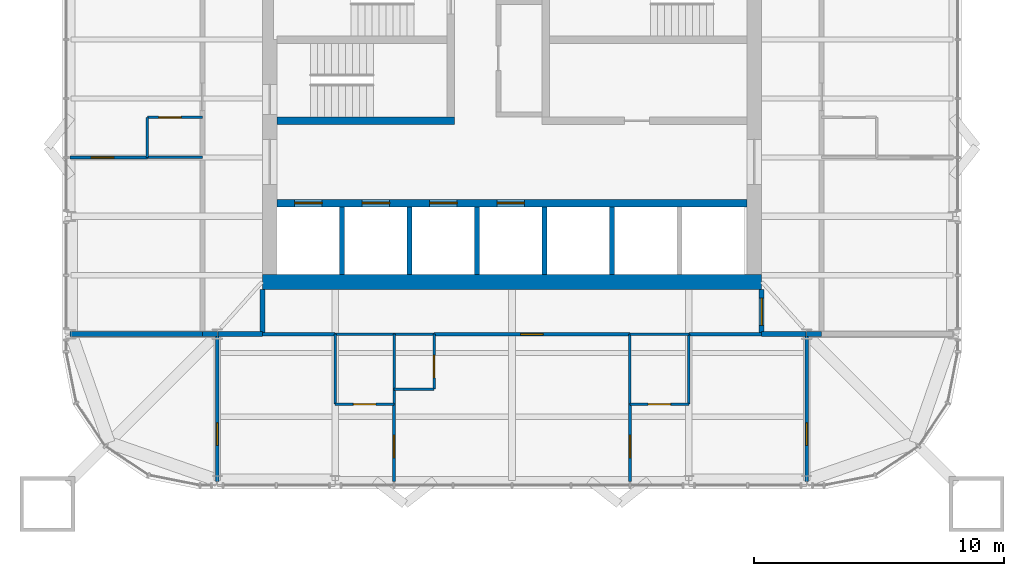
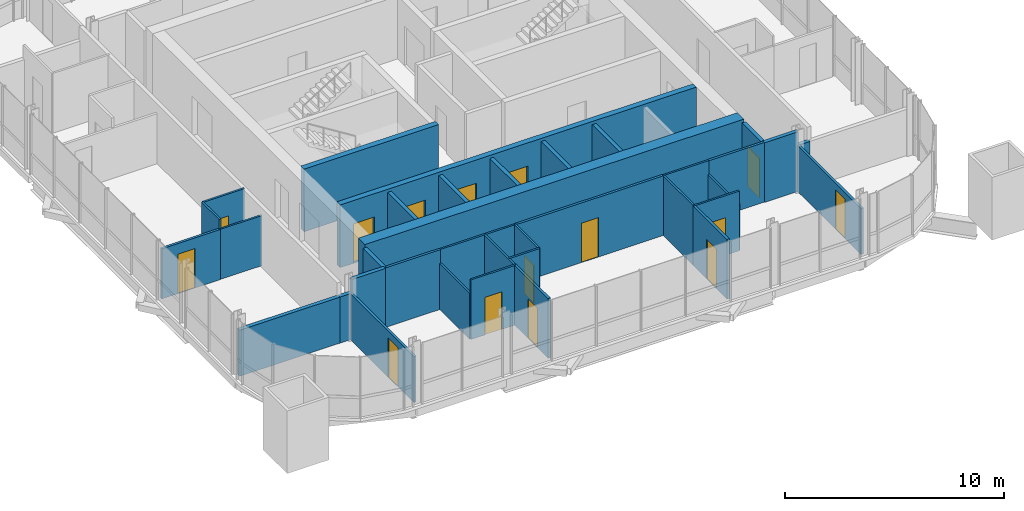
# One storey, part 13 of 17: 36 walls, 15 doors, 15 openings.
"""IFC4 building model written with IfcOpenShell, lengths in metres."""

from ifc_helpers import new_model, si_unit, direction, frame, frame_2d, origin, place, context, subcontext, project, spatial, rectangle, extrude, material, layer, layer_set, type_object, element, fill, save


model = new_model("IFC4")

# Units and contexts
model_context = context("Model", 3, precision=1e-05, world=origin(), true_north=direction((0.0, 1.0)))
body_context = subcontext(model_context, "Body", "Model", "MODEL_VIEW")
ifc_project = project(units=[si_unit("LENGTHUNIT", "METRE"), si_unit("AREAUNIT", "SQUARE_METRE"), si_unit("VOLUMEUNIT", "CUBIC_METRE"), si_unit("PLANEANGLEUNIT", "RADIAN"), si_unit("MASSUNIT", "GRAM", prefix="KILO")], contexts=[model_context])

# Site, building, storey
site_placement = place(None, origin())
site = spatial("IfcSite", under=ifc_project, at=site_placement, CompositionType="ELEMENT")
building_placement = place(site_placement, origin())
building = spatial("IfcBuilding", under=site, at=building_placement, Name="Turquesa Mirador Hotel Tower", CompositionType="ELEMENT")
storey_placement = place(building_placement, frame((0.0, 0.0, 254.699951171875)))
storey = spatial("IfcBuildingStorey", under=building, at=storey_placement, Name="L69", CompositionType="ELEMENT", Elevation=254.699951171875)

# Walls
ifc_material_1 = material(Name="Gypsum board on steel studs", Category="steel")
ifc_layer_1 = layer(ifc_material_1, 0.10009765625)
ifc_layer_set_1 = layer_set([ifc_layer_1], Name="BATHROOM WALL 100")
wall_type_1 = type_object("IfcWallType", Name="BATHROOM WALL 100", PredefinedType="PARTITIONING", material=ifc_layer_set_1)
wall_1_placement = place(storey_placement, frame((47.919921875, 33.199951171875, 0.0), z_axis=(0.0, 0.0, 1.0), x_axis=(1.0, 0.0, 0.0)))
element("IfcWall", 1, at=wall_1_placement, inside=storey, type_object=wall_type_1, Name="Partition L69 001", PredefinedType="PARTITIONING", context=body_context, shape_type="SweptSolid", body=[
    extrude(rectangle(XDim=3.9599609375, YDim=0.10009765625, at=frame_2d((1.97998046875, 0.0))), origin(), (0.0, 0.0, 1.0), 3.330078125),
])
wall_2_placement = place(storey_placement, frame((59.719970703125, 33.199951171875, 0.0), z_axis=(0.0, 0.0, 1.0), x_axis=(1.0, 0.0, 0.0)))
element("IfcWall", 2, at=wall_2_placement, inside=storey, type_object=wall_type_1, Name="Partition L69 002", PredefinedType="PARTITIONING", context=body_context, shape_type="SweptSolid", body=[
    extrude(rectangle(XDim=2.360107421875, YDim=0.10009765625, at=frame_2d((1.18017578125, 0.0))), origin(), (0.0, 0.0, 1.0), 3.330078125),
])
wall_3_placement = place(storey_placement, frame((50.280029296875, 31.0, 0.0), z_axis=(0.0, 0.0, 1.0), x_axis=(1.0, 0.0, 0.0)))
element("IfcWall", 3, at=wall_3_placement, inside=storey, type_object=wall_type_1, Name="Partition L69 010", PredefinedType="PARTITIONING", context=body_context, shape_type="SweptSolid", body=[
    extrude(rectangle(XDim=1.599853515625, YDim=0.10009765625, at=frame_2d((0.7998046875, 0.0))), origin(), (0.0, 0.0, 1.0), 3.330078125),
])

# Wall, opening, door
wall_4_placement = place(storey_placement, frame((47.919921875, 30.39990234375, 0.0), z_axis=(0.0, 0.0, 1.0), x_axis=(1.0, 0.0, 0.0)))
wall_4 = element("IfcWall", 4, at=wall_4_placement, inside=storey, type_object=wall_type_1, Name="Partition L69 011", PredefinedType="PARTITIONING", context=body_context, shape_type="SweptSolid", body=[
    extrude(rectangle(XDim=2.360107421875, YDim=0.10009765625, at=frame_2d((1.18017578125, 0.0))), origin(), (0.0, 0.0, 1.0), 3.330078125),
])
opening_1_placement = place(wall_4_placement, frame((0.72998046875, 0.0, 0.0)))
opening_1 = element("IfcOpeningElement", 5, at=opening_1_placement, cuts=wall_4, Name="Opening D02", PredefinedType="OPENING", context=body_context, shape_type="SweptSolid", body=[
    extrude(rectangle(XDim=0.89990234375, YDim=2.10009765625, at=frame_2d((0.449951171875, 1.050048828125))), frame((0.0, 0.06005859375, 0.0), z_axis=(0.0, -1.0, 0.0), x_axis=(1.0, 0.0, 0.0)), (0.0, 0.0, 1.0), 0.1201171875),
])
ifc_material_2 = material(Name="Timber veneered door", Category="wood")
door_type_1 = type_object("IfcDoorType", Name="DOOR 900X2100 EN-SUITE", OperationType="SINGLE_SWING_RIGHT", PredefinedType="DOOR", material=ifc_material_2)
door_1_placement = place(opening_1_placement, origin())
door_1 = element("IfcDoor", 6, at=door_1_placement, inside=storey, type_object=door_type_1, Name="Door 6902B", OperationType="SINGLE_SWING_RIGHT", OverallHeight=2.10009765625, OverallWidth=0.89990234375, PredefinedType="DOOR", context=body_context, shape_type="SweptSolid", body=[
    extrude(rectangle(XDim=0.89990234375, YDim=2.10009765625, at=frame_2d((0.449951171875, 1.050048828125))), frame((0.0, 0.02490234375, 0.0), z_axis=(0.0, -1.0, 0.0), x_axis=(1.0, 0.0, 0.0)), (0.0, 0.0, 1.0), 0.050048828125),
])
fill(opening_1, door_1)

wall_5_placement = place(storey_placement, frame((59.719970703125, 30.39990234375, 0.0), z_axis=(0.0, 0.0, 1.0), x_axis=(1.0, 0.0, 0.0)))
wall_5 = element("IfcWall", 7, at=wall_5_placement, inside=storey, type_object=wall_type_1, Name="Partition L69 012", PredefinedType="PARTITIONING", context=body_context, shape_type="SweptSolid", body=[
    extrude(rectangle(XDim=2.360107421875, YDim=0.10009765625, at=frame_2d((1.18017578125, 0.0))), origin(), (0.0, 0.0, 1.0), 3.330078125),
])
opening_2_placement = place(wall_5_placement, frame((0.72998046875, 0.0, 0.0)))
opening_2 = element("IfcOpeningElement", 8, at=opening_2_placement, cuts=wall_5, Name="Opening D02", PredefinedType="OPENING", context=body_context, shape_type="SweptSolid", body=[
    extrude(rectangle(XDim=0.89990234375, YDim=2.10009765625, at=frame_2d((0.449951171875, 1.050048828125))), frame((0.0, 0.06005859375, 0.0), z_axis=(0.0, -1.0, 0.0), x_axis=(1.0, 0.0, 0.0)), (0.0, 0.0, 1.0), 0.1201171875),
])
door_2_placement = place(opening_2_placement, origin())
door_2 = element("IfcDoor", 9, at=door_2_placement, inside=storey, type_object=door_type_1, Name="Door 6902E", OperationType="SINGLE_SWING_RIGHT", OverallHeight=2.10009765625, OverallWidth=0.89990234375, PredefinedType="DOOR", context=body_context, shape_type="SweptSolid", body=[
    extrude(rectangle(XDim=0.89990234375, YDim=2.10009765625, at=frame_2d((0.449951171875, 1.050048828125))), frame((0.0, 0.02490234375, 0.0), z_axis=(0.0, -1.0, 0.0), x_axis=(1.0, 0.0, 0.0)), (0.0, 0.0, 1.0), 0.050048828125),
])
fill(opening_2, door_2)

wall_6_placement = place(storey_placement, frame((40.39990234375, 41.8798828125, 0.0), z_axis=(0.0, 0.0, 1.0), x_axis=(1.0, 0.0, 0.0)))
wall_6 = element("IfcWall", 10, at=wall_6_placement, inside=storey, type_object=wall_type_1, Name="Partition L69 013", PredefinedType="PARTITIONING", context=body_context, shape_type="SweptSolid", body=[
    extrude(rectangle(XDim=2.2001953125, YDim=0.10009765625, at=frame_2d((1.10009765625, 0.0))), origin(), (0.0, 0.0, 1.0), 3.330078125),
])
opening_3_placement = place(wall_6_placement, frame((0.449951171875, 0.0, 0.0)))
opening_3 = element("IfcOpeningElement", 11, at=opening_3_placement, cuts=wall_6, Name="Opening D06", PredefinedType="OPENING", context=body_context, shape_type="SweptSolid", body=[
    extrude(rectangle(XDim=0.89990234375, YDim=2.10009765625, at=frame_2d((0.449951171875, 1.050048828125))), frame((0.0, 0.06005859375, 0.0), z_axis=(0.0, -1.0, 0.0), x_axis=(1.0, 0.0, 0.0)), (0.0, 0.0, 1.0), 0.1201171875),
])
ifc_material_3 = material(Name="Laminate door", Category="wood")
door_type_2 = type_object("IfcDoorType", Name="DOOR 900X2100 WC", OperationType="SINGLE_SWING_LEFT", PredefinedType="DOOR", material=ifc_material_3)
door_3_placement = place(opening_3_placement, origin())
door_3 = element("IfcDoor", 12, at=door_3_placement, inside=storey, type_object=door_type_2, Name="Door 6904W", OperationType="SINGLE_SWING_LEFT", OverallHeight=2.10009765625, OverallWidth=0.89990234375, PredefinedType="DOOR", context=body_context, shape_type="SweptSolid", body=[
    extrude(rectangle(XDim=0.89990234375, YDim=2.10009765625, at=frame_2d((0.449951171875, 1.050048828125))), frame((0.0, 0.02490234375, 0.0), z_axis=(0.0, -1.0, 0.0), x_axis=(1.0, 0.0, 0.0)), (0.0, 0.0, 1.0), 0.050048828125),
])
fill(opening_3, door_3)

# Walls
wall_7_placement = place(storey_placement, frame((40.39990234375, 40.280029296875, 0.0), z_axis=(0.0, 0.0, 1.0), x_axis=(1.0, 0.0, 0.0)))
element("IfcWall", 13, at=wall_7_placement, inside=storey, type_object=wall_type_1, Name="Partition L69 015", PredefinedType="PARTITIONING", context=body_context, shape_type="SweptSolid", body=[
    extrude(rectangle(XDim=2.2001953125, YDim=0.10009765625, at=frame_2d((1.10009765625, 0.0))), origin(), (0.0, 0.0, 1.0), 2.796630859375),
])
wall_8_placement = place(storey_placement, frame((40.39990234375, 40.280029296875, 0.0), z_axis=(0.0, 0.0, 1.0), x_axis=(0.0, 1.0, 0.0)))
element("IfcWall", 14, at=wall_8_placement, inside=storey, type_object=wall_type_1, Name="Partition L69 042", PredefinedType="PARTITIONING", context=body_context, shape_type="SweptSolid", body=[
    extrude(rectangle(XDim=1.599853515625, YDim=0.10009765625, at=frame_2d((0.7998046875, 0.0))), origin(), (0.0, 0.0, 1.0), 3.330078125),
])

# Wall, opening, door
wall_9_placement = place(storey_placement, frame((51.8798828125, 31.0, 0.0), z_axis=(0.0, 0.0, 1.0), x_axis=(0.0, 1.0, 0.0)))
wall_9 = element("IfcWall", 15, at=wall_9_placement, inside=storey, type_object=wall_type_1, Name="Partition L69 045", PredefinedType="PARTITIONING", context=body_context, shape_type="SweptSolid", body=[
    extrude(rectangle(XDim=2.199951171875, YDim=0.10009765625, at=frame_2d((1.10009765625, 0.0))), origin(), (0.0, 0.0, 1.0), 3.330078125),
])
opening_4_placement = place(wall_9_placement, frame((0.449951171875, 0.0, 0.0)))
opening_4 = element("IfcOpeningElement", 16, at=opening_4_placement, cuts=wall_9, Name="Opening D06", PredefinedType="OPENING", context=body_context, shape_type="SweptSolid", body=[
    extrude(rectangle(XDim=0.89990234375, YDim=2.10009765625, at=frame_2d((0.449951171875, 1.050048828125))), frame((0.0, 0.06005859375, 0.0), z_axis=(0.0, -1.0, 0.0), x_axis=(1.0, 0.0, 0.0)), (0.0, 0.0, 1.0), 0.1201171875),
])
door_4_placement = place(opening_4_placement, origin())
door_4 = element("IfcDoor", 17, at=door_4_placement, inside=storey, type_object=door_type_2, Name="Door 6902W", OperationType="SINGLE_SWING_LEFT", OverallHeight=2.10009765625, OverallWidth=0.89990234375, PredefinedType="DOOR", context=body_context, shape_type="SweptSolid", body=[
    extrude(rectangle(XDim=0.89990234375, YDim=2.10009765625, at=frame_2d((0.449951171875, 1.050048828125))), frame((0.0, 0.02490234375, 0.0), z_axis=(0.0, -1.0, 0.0), x_axis=(1.0, 0.0, 0.0)), (0.0, 0.0, 1.0), 0.050048828125),
])
fill(opening_4, door_4)

# Walls
wall_10_placement = place(storey_placement, frame((50.280029296875, 30.39990234375, 0.0), z_axis=(0.0, 0.0, 1.0), x_axis=(0.0, 1.0, 0.0)))
element("IfcWall", 18, at=wall_10_placement, inside=storey, type_object=wall_type_1, Name="Partition L69 047", PredefinedType="PARTITIONING", context=body_context, shape_type="SweptSolid", body=[
    extrude(rectangle(XDim=2.800048828125, YDim=0.10009765625, at=frame_2d((1.39990234375, 0.0))), origin(), (0.0, 0.0, 1.0), 3.330078125),
])
wall_11_placement = place(storey_placement, frame((47.919921875, 30.39990234375, 0.0), z_axis=(0.0, 0.0, 1.0), x_axis=(0.0, 1.0, 0.0)))
element("IfcWall", 19, at=wall_11_placement, inside=storey, type_object=wall_type_1, Name="Partition L69 051", PredefinedType="PARTITIONING", context=body_context, shape_type="SweptSolid", body=[
    extrude(rectangle(XDim=2.800048828125, YDim=0.10009765625, at=frame_2d((1.39990234375, 0.0))), origin(), (0.0, 0.0, 1.0), 2.5732421875),
])
wall_12_placement = place(storey_placement, frame((59.719970703125, 30.39990234375, 0.0), z_axis=(0.0, 0.0, 1.0), x_axis=(0.0, 1.0, 0.0)))
element("IfcWall", 20, at=wall_12_placement, inside=storey, type_object=wall_type_1, Name="Partition L69 061", PredefinedType="PARTITIONING", context=body_context, shape_type="SweptSolid", body=[
    extrude(rectangle(XDim=2.800048828125, YDim=0.10009765625, at=frame_2d((1.39990234375, 0.0))), origin(), (0.0, 0.0, 1.0), 3.330078125),
])
wall_13_placement = place(storey_placement, frame((62.080078125, 30.39990234375, 0.0), z_axis=(0.0, 0.0, 1.0), x_axis=(0.0, 1.0, 0.0)))
element("IfcWall", 21, at=wall_13_placement, inside=storey, type_object=wall_type_1, Name="Partition L69 065", PredefinedType="PARTITIONING", context=body_context, shape_type="SweptSolid", body=[
    extrude(rectangle(XDim=2.800048828125, YDim=0.10009765625, at=frame_2d((1.39990234375, 0.0))), origin(), (0.0, 0.0, 1.0), 2.5732421875),
])

# Wall, openings, doors
ifc_material_4 = material(Name="Concrete C50/60", Category="concrete")
ifc_layer_2 = layer(ifc_material_4, 0.300048828125)
ifc_layer_set_2 = layer_set([ifc_layer_2], Name="CORE INNER WALL 300")
wall_type_2 = type_object("IfcWallType", Name="CORE INNER WALL 300", PredefinedType="SHEAR", material=ifc_layer_set_2)
wall_14_placement = place(storey_placement, frame((45.60009765625, 38.449951171875, 0.0), z_axis=(0.0, 0.0, 1.0), x_axis=(1.0, 0.0, 0.0)))
wall_14 = element("IfcWall", 22, at=wall_14_placement, inside=storey, type_object=wall_type_2, Name="Core wall SL", PredefinedType="SHEAR", context=body_context, shape_type="SweptSolid", body=[
    extrude(rectangle(XDim=18.7998046875, YDim=0.300048828125, at=frame_2d((9.39990234375, 0.0))), origin(), (0.0, 0.0, 1.0), 3.5),
])
opening_5_placement = place(wall_14_placement, frame((0.699951171875, 0.0, 0.0)))
opening_5 = element("IfcOpeningElement", 23, at=opening_5_placement, cuts=wall_14, Name="Opening LD", PredefinedType="OPENING", context=body_context, shape_type="SweptSolid", body=[
    extrude(rectangle(XDim=1.10009765625, YDim=2.199951171875, at=frame_2d((0.550048828125, 1.10009765625))), frame((0.0, 0.159912109375, 0.0), z_axis=(0.0, -1.0, 0.0), x_axis=(1.0, 0.0, 0.0)), (0.0, 0.0, 1.0), 0.320068359375),
])
opening_6_placement = place(wall_14_placement, frame((3.39990234375, 0.0, 0.0)))
opening_6 = element("IfcOpeningElement", 24, at=opening_6_placement, cuts=wall_14, Name="Opening LD", PredefinedType="OPENING", context=body_context, shape_type="SweptSolid", body=[
    extrude(rectangle(XDim=1.10009765625, YDim=2.199951171875, at=frame_2d((0.550048828125, 1.10009765625))), frame((0.0, 0.159912109375, 0.0), z_axis=(0.0, -1.0, 0.0), x_axis=(1.0, 0.0, 0.0)), (0.0, 0.0, 1.0), 0.320068359375),
])
opening_7_placement = place(wall_14_placement, frame((6.10009765625, 0.0, 0.0)))
opening_7 = element("IfcOpeningElement", 25, at=opening_7_placement, cuts=wall_14, Name="Opening LD", PredefinedType="OPENING", context=body_context, shape_type="SweptSolid", body=[
    extrude(rectangle(XDim=1.10009765625, YDim=2.199951171875, at=frame_2d((0.550048828125, 1.10009765625))), frame((0.0, 0.159912109375, 0.0), z_axis=(0.0, -1.0, 0.0), x_axis=(1.0, 0.0, 0.0)), (0.0, 0.0, 1.0), 0.320068359375),
])
opening_8_placement = place(wall_14_placement, frame((8.800048828125, 0.0, 0.0)))
opening_8 = element("IfcOpeningElement", 26, at=opening_8_placement, cuts=wall_14, Name="Opening LD", PredefinedType="OPENING", context=body_context, shape_type="SweptSolid", body=[
    extrude(rectangle(XDim=1.10009765625, YDim=2.199951171875, at=frame_2d((0.550048828125, 1.10009765625))), frame((0.0, 0.159912109375, 0.0), z_axis=(0.0, -1.0, 0.0), x_axis=(1.0, 0.0, 0.0)), (0.0, 0.0, 1.0), 0.320068359375),
])
ifc_material_5 = material(Name="Stainless steel lift landing door", Category="steel")
door_type_3 = type_object("IfcDoorType", Name="LIFT LANDING DOOR 1100X2200", OperationType="SLIDING_TO_LEFT", PredefinedType="DOOR", material=ifc_material_5)
door_5_placement = place(opening_5_placement, origin())
door_5 = element("IfcDoor", 27, at=door_5_placement, inside=storey, type_object=door_type_3, Name="Lift B1 landing door", OperationType="SLIDING_TO_LEFT", OverallHeight=2.199951171875, OverallWidth=1.10009765625, PredefinedType="DOOR", context=body_context, shape_type="SweptSolid", body=[
    extrude(rectangle(XDim=1.10009765625, YDim=2.199951171875, at=frame_2d((0.550048828125, 1.10009765625))), frame((0.0, 0.02490234375, 0.0), z_axis=(0.0, -1.0, 0.0), x_axis=(1.0, 0.0, 0.0)), (0.0, 0.0, 1.0), 0.050048828125),
])
fill(opening_5, door_5)
door_6_placement = place(opening_6_placement, origin())
door_6 = element("IfcDoor", 28, at=door_6_placement, inside=storey, type_object=door_type_3, Name="Lift B2 landing door", OperationType="SLIDING_TO_LEFT", OverallHeight=2.199951171875, OverallWidth=1.10009765625, PredefinedType="DOOR", context=body_context, shape_type="SweptSolid", body=[
    extrude(rectangle(XDim=1.10009765625, YDim=2.199951171875, at=frame_2d((0.550048828125, 1.10009765625))), frame((0.0, 0.02490234375, 0.0), z_axis=(0.0, -1.0, 0.0), x_axis=(1.0, 0.0, 0.0)), (0.0, 0.0, 1.0), 0.050048828125),
])
fill(opening_6, door_6)
door_7_placement = place(opening_7_placement, origin())
door_7 = element("IfcDoor", 29, at=door_7_placement, inside=storey, type_object=door_type_3, Name="Lift B3 landing door", OperationType="SLIDING_TO_LEFT", OverallHeight=2.199951171875, OverallWidth=1.10009765625, PredefinedType="DOOR", context=body_context, shape_type="SweptSolid", body=[
    extrude(rectangle(XDim=1.10009765625, YDim=2.199951171875, at=frame_2d((0.550048828125, 1.10009765625))), frame((0.0, 0.02490234375, 0.0), z_axis=(0.0, -1.0, 0.0), x_axis=(1.0, 0.0, 0.0)), (0.0, 0.0, 1.0), 0.050048828125),
])
fill(opening_7, door_7)
door_8_placement = place(opening_8_placement, origin())
door_8 = element("IfcDoor", 30, at=door_8_placement, inside=storey, type_object=door_type_3, Name="Lift B4 landing door", OperationType="SLIDING_TO_LEFT", OverallHeight=2.199951171875, OverallWidth=1.10009765625, PredefinedType="DOOR", context=body_context, shape_type="SweptSolid", body=[
    extrude(rectangle(XDim=1.10009765625, YDim=2.199951171875, at=frame_2d((0.550048828125, 1.10009765625))), frame((0.0, 0.02490234375, 0.0), z_axis=(0.0, -1.0, 0.0), x_axis=(1.0, 0.0, 0.0)), (0.0, 0.0, 1.0), 0.050048828125),
])
fill(opening_8, door_8)

# Walls
wall_15_placement = place(storey_placement, frame((45.60009765625, 41.75, 0.0), z_axis=(0.0, 0.0, 1.0), x_axis=(1.0, 0.0, 0.0)))
element("IfcWall", 31, at=wall_15_placement, inside=storey, type_object=wall_type_2, Name="Core wall MS-W", PredefinedType="SHEAR", context=body_context, shape_type="SweptSolid", body=[
    extrude(rectangle(XDim=7.099853515625, YDim=0.300048828125, at=frame_2d((3.5498046875, 0.0))), origin(), (0.0, 0.0, 1.0), 3.5),
])
ifc_material_6 = material(Name="Concrete C50/60", Category="concrete")
ifc_layer_3 = layer(ifc_material_6, 0.60009765625)
ifc_layer_set_3 = layer_set([ifc_layer_3], Name="CORE WALL 600")
wall_type_3 = type_object("IfcWallType", Name="CORE WALL 600", PredefinedType="SHEAR", material=ifc_layer_set_3)
wall_16_placement = place(storey_placement, frame((45.0, 35.300048828125, 0.0), z_axis=(0.0, 0.0, 1.0), x_axis=(1.0, 0.0, 0.0)))
element("IfcWall", 32, at=wall_16_placement, inside=storey, type_object=wall_type_3, Name="Core wall S", PredefinedType="SHEAR", context=body_context, shape_type="SweptSolid", body=[
    extrude(rectangle(XDim=20.0, YDim=0.60009765625, at=frame_2d((10.0, 0.0))), origin(), (0.0, 0.0, 1.0), 3.5),
])
ifc_material_7 = material(Name="Fire-rated gypsum board on steel studs", Category="steel")
ifc_layer_4 = layer(ifc_material_7, 0.199951171875)
ifc_layer_set_4 = layer_set([ifc_layer_4], Name="CORRIDOR WALL 200")
wall_type_4 = type_object("IfcWallType", Name="CORRIDOR WALL 200", PredefinedType="PARTITIONING", material=ifc_layer_set_4)
for number, where, z_axis, x_axis, name in (
    (33, (43.219970703125, 33.199951171875, 0.0), (0.0, 0.0, 1.0), (1.0, 0.0, 0.0), "Partition L69 003"),
    (34, (65.0, 33.199951171875, 0.0), (0.0, 0.0, 1.0), (1.0, 0.0, 0.0), "Partition L69 004"),
):
    element("IfcWall", number, at=place(storey_placement, frame(where, z_axis=z_axis, x_axis=x_axis)), inside=storey, type_object=wall_type_4, Name=name, PredefinedType="PARTITIONING", context=body_context, shape_type="SweptSolid", body=[
        extrude(rectangle(XDim=1.780029296875, YDim=0.199951171875, at=frame_2d((0.89013671875, 0.0))), origin(), (0.0, 0.0, 1.0), 3.330078125),
    ])
wall_17_placement = place(storey_placement, frame((45.0, 33.199951171875, 0.0), z_axis=(0.0, 0.0, 1.0), x_axis=(0.0, 1.0, 0.0)))
element("IfcWall", 35, at=wall_17_placement, inside=storey, type_object=wall_type_4, Name="Partition L69 037", PredefinedType="PARTITIONING", context=body_context, shape_type="SweptSolid", body=[
    extrude(rectangle(XDim=1.800048828125, YDim=0.199951171875, at=frame_2d((0.89990234375, 0.0))), origin(), (0.0, 0.0, 1.0), 3.330078125),
])

# Wall, opening, door
wall_18_placement = place(storey_placement, frame((65.0, 33.199951171875, 0.0), z_axis=(0.0, 0.0, 1.0), x_axis=(0.0, 1.0, 0.0)))
wall_18 = element("IfcWall", 36, at=wall_18_placement, inside=storey, type_object=wall_type_4, Name="Partition L69 053", PredefinedType="PARTITIONING", context=body_context, shape_type="SweptSolid", body=[
    extrude(rectangle(XDim=1.800048828125, YDim=0.199951171875, at=frame_2d((0.89990234375, 0.0))), origin(), (0.0, 0.0, 1.0), 3.330078125),
])
opening_9_placement = place(wall_18_placement, frame((0.35009765625, 0.0, 0.0)))
opening_9 = element("IfcOpeningElement", 37, at=opening_9_placement, cuts=wall_18, Name="Opening D15", PredefinedType="OPENING", context=body_context, shape_type="SweptSolid", body=[
    extrude(rectangle(XDim=1.10009765625, YDim=2.199951171875, at=frame_2d((0.550048828125, 1.10009765625))), frame((0.0, 0.10986328125, 0.0), z_axis=(0.0, -1.0, 0.0), x_axis=(1.0, 0.0, 0.0)), (0.0, 0.0, 1.0), 0.219970703125),
])
ifc_material_8 = material(Name="Timber veneered fire door", Category="wood")
door_type_4 = type_object("IfcDoorType", Name="DOOR 1100X2200 SUITE ENTRY", OperationType="SINGLE_SWING_LEFT", PredefinedType="DOOR", material=ifc_material_8)
door_9_placement = place(opening_9_placement, origin())
door_9 = element("IfcDoor", 38, at=door_9_placement, inside=storey, type_object=door_type_4, Name="Door 6902G", OperationType="SINGLE_SWING_LEFT", OverallHeight=2.199951171875, OverallWidth=1.10009765625, PredefinedType="DOOR", context=body_context, shape_type="SweptSolid", body=[
    extrude(rectangle(XDim=1.10009765625, YDim=2.199951171875, at=frame_2d((0.550048828125, 1.10009765625))), frame((0.0, 0.02490234375, 0.0), z_axis=(0.0, -1.0, 0.0), x_axis=(1.0, 0.0, 0.0)), (0.0, 0.0, 1.0), 0.050048828125),
])
fill(opening_9, door_9)

# Walls
for number, where, z_axis, x_axis, name in (
    (39, (42.60009765625, 33.199951171875, 0.0), (0.0, 0.0, 1.0), (1.0, 0.0, 0.0), "Partition L69 067"),
    (40, (66.780029296875, 33.199951171875, 0.0), (0.0, 0.0, 1.0), (1.0, 0.0, 0.0), "Partition L69 068"),
):
    element("IfcWall", number, at=place(storey_placement, frame(where, z_axis=z_axis, x_axis=x_axis)), inside=storey, type_object=wall_type_4, Name=name, PredefinedType="PARTITIONING", context=body_context, shape_type="SweptSolid", body=[
        extrude(rectangle(XDim=0.619873046875, YDim=0.199951171875, at=frame_2d((0.31005859375, 0.0))), origin(), (0.0, 0.0, 1.0), 2.5732421875),
    ])
ifc_material_9 = material(Name="Fire-rated gypsum shaft wall on steel studs", Category="steel")
ifc_layer_5 = layer(ifc_material_9, 0.199951171875)
ifc_layer_set_5 = layer_set([ifc_layer_5], Name="LIFT SHAFT DIVIDER 200")
wall_type_5 = type_object("IfcWallType", Name="LIFT SHAFT DIVIDER 200", PredefinedType="PARTITIONING", material=ifc_layer_set_5)
for number, where, z_axis, x_axis, name in (
    (41, (48.199951171875, 35.60009765625, 0.0), (0.0, 0.0, 1.0), (0.0, 1.0, 0.0), "Lift shaft divider"),
    (42, (50.89990234375, 35.60009765625, 0.0), (0.0, 0.0, 1.0), (0.0, 1.0, 0.0), "Lift shaft divider"),
    (43, (53.60009765625, 35.60009765625, 0.0), (0.0, 0.0, 1.0), (0.0, 1.0, 0.0), "Lift shaft divider"),
    (44, (56.300048828125, 35.60009765625, 0.0), (0.0, 0.0, 1.0), (0.0, 1.0, 0.0), "Lift shaft divider"),
    (45, (59.0, 35.60009765625, 0.0), (0.0, 0.0, 1.0), (0.0, 1.0, 0.0), "Lift shaft divider"),
):
    element("IfcWall", number, at=place(storey_placement, frame(where, z_axis=z_axis, x_axis=x_axis)), inside=storey, type_object=wall_type_5, Name=name, PredefinedType="PARTITIONING", context=body_context, shape_type="SweptSolid", body=[
        extrude(rectangle(XDim=2.699951171875, YDim=0.199951171875, at=frame_2d((1.35009765625, 0.0))), origin(), (0.0, 0.0, 1.0), 3.330078125),
    ])
ifc_material_10 = material(Name="Fire-rated gypsum board on steel studs", Category="steel")
ifc_layer_6 = layer(ifc_material_10, 0.199951171875)
ifc_layer_set_6 = layer_set([ifc_layer_6], Name="PARTY WALL 200")
wall_type_6 = type_object("IfcWallType", Name="PARTY WALL 200", PredefinedType="PARTITIONING", material=ifc_layer_set_6)
wall_19_placement = place(storey_placement, frame((37.300048828125, 33.199951171875, 0.0), z_axis=(0.0, 0.0, 1.0), x_axis=(1.0, 0.0, 0.0)))
element("IfcWall", 46, at=wall_19_placement, inside=storey, type_object=wall_type_6, Name="Partition L69 005", PredefinedType="PARTITIONING", context=body_context, shape_type="SweptSolid", body=[
    extrude(rectangle(XDim=5.300048828125, YDim=0.199951171875, at=frame_2d((2.64990234375, 0.0))), origin(), (0.0, 0.0, 1.0), 2.5732421875),
])
ifc_material_11 = material(Name="Acoustic gypsum board on steel studs", Category="steel")
ifc_layer_7 = layer(ifc_material_11, 0.125)
ifc_layer_set_7 = layer_set([ifc_layer_7], Name="SUITE PARTITION 125")
wall_type_7 = type_object("IfcWallType", Name="SUITE PARTITION 125", PredefinedType="PARTITIONING", material=ifc_layer_set_7)
wall_20_placement = place(storey_placement, frame((45.0, 33.199951171875, 0.0), z_axis=(0.0, 0.0, 1.0), x_axis=(1.0, 0.0, 0.0)))
element("IfcWall", 47, at=wall_20_placement, inside=storey, type_object=wall_type_7, Name="Partition L69 007", PredefinedType="PARTITIONING", context=body_context, shape_type="SweptSolid", body=[
    extrude(rectangle(XDim=2.919921875, YDim=0.125, at=frame_2d((1.4599609375, 0.0))), origin(), (0.0, 0.0, 1.0), 3.330078125),
])

# Wall, opening, door
wall_21_placement = place(storey_placement, frame((51.8798828125, 33.199951171875, 0.0), z_axis=(0.0, 0.0, 1.0), x_axis=(1.0, 0.0, 0.0)))
wall_21 = element("IfcWall", 48, at=wall_21_placement, inside=storey, type_object=wall_type_7, Name="Partition L69 008", PredefinedType="PARTITIONING", context=body_context, shape_type="SweptSolid", body=[
    extrude(rectangle(XDim=7.840087890625, YDim=0.125, at=frame_2d((3.919921875, 0.0))), origin(), (0.0, 0.0, 1.0), 3.330078125),
])
opening_10_placement = place(wall_21_placement, frame((3.469970703125, 0.0, 0.0)))
opening_10 = element("IfcOpeningElement", 49, at=opening_10_placement, cuts=wall_21, Name="Opening D17", PredefinedType="OPENING", context=body_context, shape_type="SweptSolid", body=[
    extrude(rectangle(XDim=0.89990234375, YDim=2.199951171875, at=frame_2d((0.449951171875, 1.10009765625))), frame((0.0, 0.072509765625, 0.0), z_axis=(0.0, -1.0, 0.0), x_axis=(1.0, 0.0, 0.0)), (0.0, 0.0, 1.0), 0.14501953125),
])
ifc_material_12 = material(Name="Timber veneered door", Category="wood")
door_type_5 = type_object("IfcDoorType", Name="DOOR 900X2200 SUITE INTERNAL", OperationType="SINGLE_SWING_LEFT", PredefinedType="DOOR", material=ifc_material_12)
door_10_placement = place(opening_10_placement, origin())
door_10 = element("IfcDoor", 50, at=door_10_placement, inside=storey, type_object=door_type_5, Name="Door 6902", OperationType="SINGLE_SWING_LEFT", OverallHeight=2.199951171875, OverallWidth=0.89990234375, PredefinedType="DOOR", context=body_context, shape_type="SweptSolid", body=[
    extrude(rectangle(XDim=0.89990234375, YDim=2.199951171875, at=frame_2d((0.449951171875, 1.10009765625))), frame((0.0, 0.02490234375, 0.0), z_axis=(0.0, -1.0, 0.0), x_axis=(1.0, 0.0, 0.0)), (0.0, 0.0, 1.0), 0.050048828125),
])
fill(opening_10, door_10)

# Wall
wall_22_placement = place(storey_placement, frame((62.080078125, 33.199951171875, 0.0), z_axis=(0.0, 0.0, 1.0), x_axis=(1.0, 0.0, 0.0)))
element("IfcWall", 51, at=wall_22_placement, inside=storey, type_object=wall_type_7, Name="Partition L69 009", PredefinedType="PARTITIONING", context=body_context, shape_type="SweptSolid", body=[
    extrude(rectangle(XDim=2.919921875, YDim=0.125, at=frame_2d((1.4599609375, 0.0))), origin(), (0.0, 0.0, 1.0), 3.330078125),
])

# Wall, opening, door
wall_23_placement = place(storey_placement, frame((37.300048828125, 40.280029296875, 0.0), z_axis=(0.0, 0.0, 1.0), x_axis=(1.0, 0.0, 0.0)))
wall_23 = element("IfcWall", 52, at=wall_23_placement, inside=storey, type_object=wall_type_7, Name="Partition L69 017", PredefinedType="PARTITIONING", context=body_context, shape_type="SweptSolid", body=[
    extrude(rectangle(XDim=3.099853515625, YDim=0.125, at=frame_2d((1.5498046875, 0.0))), origin(), (0.0, 0.0, 1.0), 2.796630859375),
])
opening_11_placement = place(wall_23_placement, frame((0.85009765625, 0.0, 0.0)))
opening_11 = element("IfcOpeningElement", 53, at=opening_11_placement, cuts=wall_23, Name="Opening D17", PredefinedType="OPENING", context=body_context, shape_type="SweptSolid", body=[
    extrude(rectangle(XDim=0.89990234375, YDim=2.199951171875, at=frame_2d((0.449951171875, 1.10009765625))), frame((0.0, 0.072509765625, 0.0), z_axis=(0.0, -1.0, 0.0), x_axis=(1.0, 0.0, 0.0)), (0.0, 0.0, 1.0), 0.14501953125),
])
door_11_placement = place(opening_11_placement, origin())
door_11 = element("IfcDoor", 54, at=door_11_placement, inside=storey, type_object=door_type_5, Name="Door 6904M", OperationType="SINGLE_SWING_LEFT", OverallHeight=2.199951171875, OverallWidth=0.89990234375, PredefinedType="DOOR", context=body_context, shape_type="SweptSolid", body=[
    extrude(rectangle(XDim=0.89990234375, YDim=2.199951171875, at=frame_2d((0.449951171875, 1.10009765625))), frame((0.0, 0.02490234375, 0.0), z_axis=(0.0, -1.0, 0.0), x_axis=(1.0, 0.0, 0.0)), (0.0, 0.0, 1.0), 0.050048828125),
])
fill(opening_11, door_11)

wall_24_placement = place(storey_placement, frame((43.199951171875, 27.300048828125, 0.0), z_axis=(0.0, 0.0, 1.0), x_axis=(0.0, 1.0, 0.0)))
wall_24 = element("IfcWall", 55, at=wall_24_placement, inside=storey, type_object=wall_type_7, Name="Partition L69 039", PredefinedType="PARTITIONING", context=body_context, shape_type="SweptSolid", body=[
    extrude(rectangle(XDim=5.89990234375, YDim=0.125, at=frame_2d((2.949951171875, 0.0))), origin(), (0.0, 0.0, 1.0), 2.5732421875),
])
opening_12_placement = place(wall_24_placement, frame((1.449951171875, 0.0, 0.0)))
opening_12 = element("IfcOpeningElement", 56, at=opening_12_placement, cuts=wall_24, Name="Opening D17", PredefinedType="OPENING", context=body_context, shape_type="SweptSolid", body=[
    extrude(rectangle(XDim=0.89990234375, YDim=2.199951171875, at=frame_2d((0.449951171875, 1.10009765625))), frame((0.0, 0.072509765625, 0.0), z_axis=(0.0, -1.0, 0.0), x_axis=(1.0, 0.0, 0.0)), (0.0, 0.0, 1.0), 0.14501953125),
])
door_12_placement = place(opening_12_placement, origin())
door_12 = element("IfcDoor", 57, at=door_12_placement, inside=storey, type_object=door_type_5, Name="Door 6902T", OperationType="SINGLE_SWING_LEFT", OverallHeight=2.199951171875, OverallWidth=0.89990234375, PredefinedType="DOOR", context=body_context, shape_type="SweptSolid", body=[
    extrude(rectangle(XDim=0.89990234375, YDim=2.199951171875, at=frame_2d((0.449951171875, 1.10009765625))), frame((0.0, 0.02490234375, 0.0), z_axis=(0.0, -1.0, 0.0), x_axis=(1.0, 0.0, 0.0)), (0.0, 0.0, 1.0), 0.050048828125),
])
fill(opening_12, door_12)

wall_25_placement = place(storey_placement, frame((50.280029296875, 27.300048828125, 0.0), z_axis=(0.0, 0.0, 1.0), x_axis=(0.0, 1.0, 0.0)))
wall_25 = element("IfcWall", 58, at=wall_25_placement, inside=storey, type_object=wall_type_7, Name="Partition L69 049", PredefinedType="PARTITIONING", context=body_context, shape_type="SweptSolid", body=[
    extrude(rectangle(XDim=3.099853515625, YDim=0.125, at=frame_2d((1.5498046875, 0.0))), origin(), (0.0, 0.0, 1.0), 3.330078125),
])
opening_13_placement = place(wall_25_placement, frame((0.949951171875, 0.0, 0.0)))
opening_13 = element("IfcOpeningElement", 59, at=opening_13_placement, cuts=wall_25, Name="Opening D17", PredefinedType="OPENING", context=body_context, shape_type="SweptSolid", body=[
    extrude(rectangle(XDim=0.89990234375, YDim=2.199951171875, at=frame_2d((0.449951171875, 1.10009765625))), frame((0.0, 0.072509765625, 0.0), z_axis=(0.0, -1.0, 0.0), x_axis=(1.0, 0.0, 0.0)), (0.0, 0.0, 1.0), 0.14501953125),
])
door_13_placement = place(opening_13_placement, origin())
door_13 = element("IfcDoor", 60, at=door_13_placement, inside=storey, type_object=door_type_5, Name="Door 6902R", OperationType="SINGLE_SWING_LEFT", OverallHeight=2.199951171875, OverallWidth=0.89990234375, PredefinedType="DOOR", context=body_context, shape_type="SweptSolid", body=[
    extrude(rectangle(XDim=0.89990234375, YDim=2.199951171875, at=frame_2d((0.449951171875, 1.10009765625))), frame((0.0, 0.02490234375, 0.0), z_axis=(0.0, -1.0, 0.0), x_axis=(1.0, 0.0, 0.0)), (0.0, 0.0, 1.0), 0.050048828125),
])
fill(opening_13, door_13)

wall_26_placement = place(storey_placement, frame((66.800048828125, 27.300048828125, 0.0), z_axis=(0.0, 0.0, 1.0), x_axis=(0.0, 1.0, 0.0)))
wall_26 = element("IfcWall", 61, at=wall_26_placement, inside=storey, type_object=wall_type_7, Name="Partition L69 055", PredefinedType="PARTITIONING", context=body_context, shape_type="SweptSolid", body=[
    extrude(rectangle(XDim=5.89990234375, YDim=0.125, at=frame_2d((2.949951171875, 0.0))), origin(), (0.0, 0.0, 1.0), 2.5732421875),
])
opening_14_placement = place(wall_26_placement, frame((1.449951171875, 0.0, 0.0)))
opening_14 = element("IfcOpeningElement", 62, at=opening_14_placement, cuts=wall_26, Name="Opening D17", PredefinedType="OPENING", context=body_context, shape_type="SweptSolid", body=[
    extrude(rectangle(XDim=0.89990234375, YDim=2.199951171875, at=frame_2d((0.449951171875, 1.10009765625))), frame((0.0, 0.072509765625, 0.0), z_axis=(0.0, -1.0, 0.0), x_axis=(1.0, 0.0, 0.0)), (0.0, 0.0, 1.0), 0.14501953125),
])
door_14_placement = place(opening_14_placement, origin())
door_14 = element("IfcDoor", 63, at=door_14_placement, inside=storey, type_object=door_type_5, Name="Door 6902U", OperationType="SINGLE_SWING_LEFT", OverallHeight=2.199951171875, OverallWidth=0.89990234375, PredefinedType="DOOR", context=body_context, shape_type="SweptSolid", body=[
    extrude(rectangle(XDim=0.89990234375, YDim=2.199951171875, at=frame_2d((0.449951171875, 1.10009765625))), frame((0.0, 0.02490234375, 0.0), z_axis=(0.0, -1.0, 0.0), x_axis=(1.0, 0.0, 0.0)), (0.0, 0.0, 1.0), 0.050048828125),
])
fill(opening_14, door_14)

wall_27_placement = place(storey_placement, frame((59.719970703125, 27.300048828125, 0.0), z_axis=(0.0, 0.0, 1.0), x_axis=(0.0, 1.0, 0.0)))
wall_27 = element("IfcWall", 64, at=wall_27_placement, inside=storey, type_object=wall_type_7, Name="Partition L69 063", PredefinedType="PARTITIONING", context=body_context, shape_type="SweptSolid", body=[
    extrude(rectangle(XDim=3.099853515625, YDim=0.125, at=frame_2d((1.5498046875, 0.0))), origin(), (0.0, 0.0, 1.0), 3.330078125),
])
opening_15_placement = place(wall_27_placement, frame((0.949951171875, 0.0, 0.0)))
opening_15 = element("IfcOpeningElement", 65, at=opening_15_placement, cuts=wall_27, Name="Opening D17", PredefinedType="OPENING", context=body_context, shape_type="SweptSolid", body=[
    extrude(rectangle(XDim=0.89990234375, YDim=2.199951171875, at=frame_2d((0.449951171875, 1.10009765625))), frame((0.0, 0.072509765625, 0.0), z_axis=(0.0, -1.0, 0.0), x_axis=(1.0, 0.0, 0.0)), (0.0, 0.0, 1.0), 0.14501953125),
])
door_15_placement = place(opening_15_placement, origin())
door_15 = element("IfcDoor", 66, at=door_15_placement, inside=storey, type_object=door_type_5, Name="Door 6902S", OperationType="SINGLE_SWING_LEFT", OverallHeight=2.199951171875, OverallWidth=0.89990234375, PredefinedType="DOOR", context=body_context, shape_type="SweptSolid", body=[
    extrude(rectangle(XDim=0.89990234375, YDim=2.199951171875, at=frame_2d((0.449951171875, 1.10009765625))), frame((0.0, 0.02490234375, 0.0), z_axis=(0.0, -1.0, 0.0), x_axis=(1.0, 0.0, 0.0)), (0.0, 0.0, 1.0), 0.050048828125),
])
fill(opening_15, door_15)

save(model, "model.ifc")
